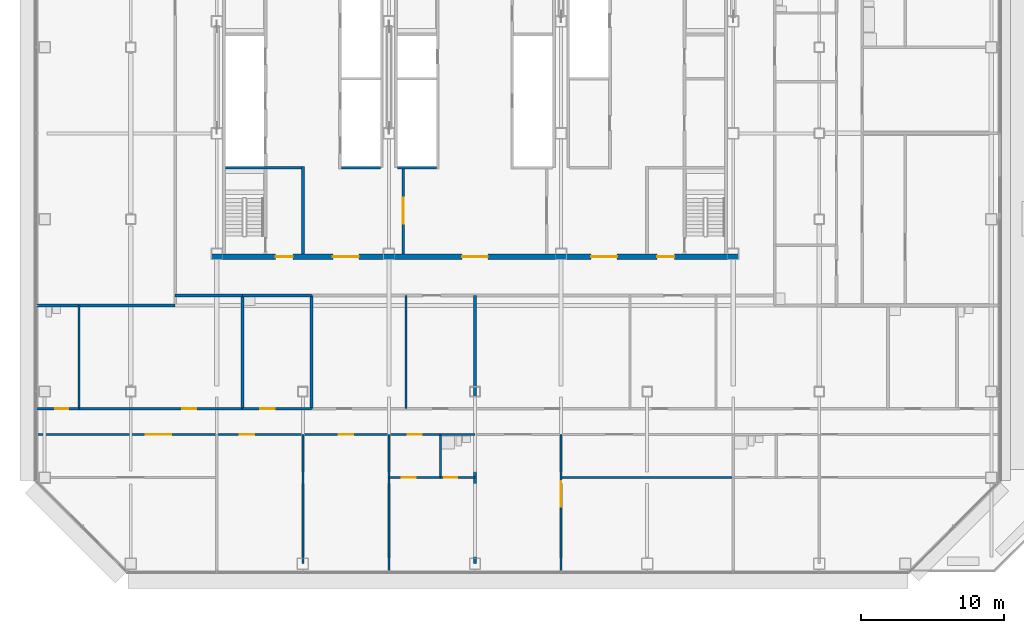
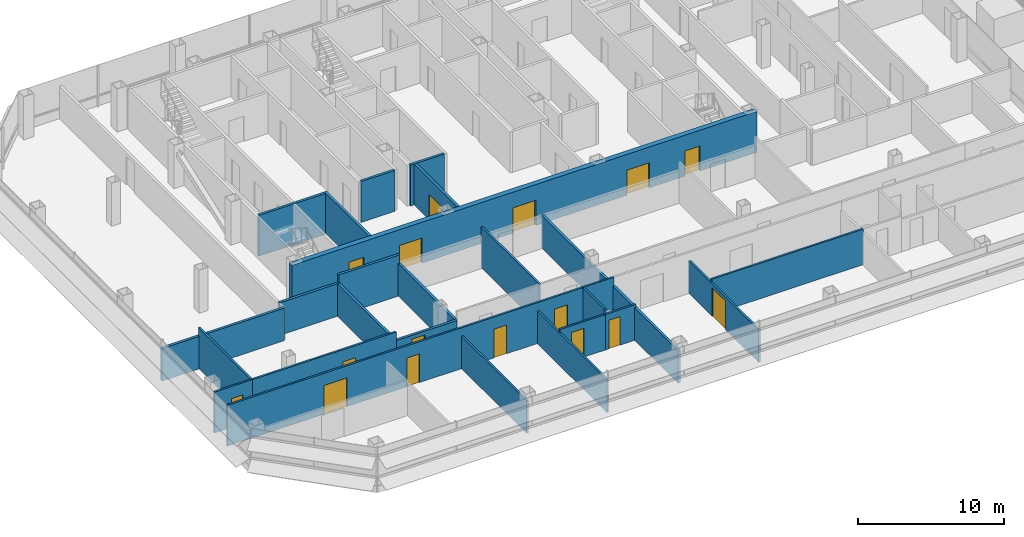
# One storey, part 17 of 28: 26 walls, 16 doors, 16 openings.
"""IFC4 building model written with IfcOpenShell, lengths in metres."""

from ifc_helpers import new_model, si_unit, direction, frame, frame_2d, origin, place, context, subcontext, project, spatial, rectangle, extrude, material, layer, layer_set, type_object, element, fill, save


model = new_model("IFC4")

# Units and contexts
model_context = context("Model", 3, precision=1e-05, world=origin(), true_north=direction((0.0, 1.0)))
body_context = subcontext(model_context, "Body", "Model", "MODEL_VIEW")
ifc_project = project(units=[si_unit("LENGTHUNIT", "METRE"), si_unit("AREAUNIT", "SQUARE_METRE"), si_unit("VOLUMEUNIT", "CUBIC_METRE"), si_unit("PLANEANGLEUNIT", "RADIAN"), si_unit("MASSUNIT", "GRAM", prefix="KILO")], contexts=[model_context])

# Site, building, storey
site_placement = place(None, origin())
site = spatial("IfcSite", under=ifc_project, at=site_placement, CompositionType="ELEMENT")
building_placement = place(site_placement, origin())
building = spatial("IfcBuilding", under=site, at=building_placement, Name="Sorahane Residences", CompositionType="ELEMENT")
storey_placement = place(building_placement, frame((0.0, 0.0, 96.199951171875)))
storey = spatial("IfcBuildingStorey", under=building, at=storey_placement, Name="L20", CompositionType="ELEMENT", Elevation=96.199951171875)

# Walls
ifc_material_1 = material(Name="Concrete blockwork C20 wall", Category="masonry")
ifc_layer_1 = layer(ifc_material_1, 0.199951171875)
ifc_layer_set_1 = layer_set([ifc_layer_1], Name="Corridor wall 200 EI 120")
wall_type_1 = type_object("IfcWallType", Name="Corridor wall 200 EI 120", PredefinedType="SOLIDWALL", material=ifc_layer_set_1)
wall_1_placement = place(storey_placement, frame((-6.60009765625, 18.0, 0.0), z_axis=(0.0, 0.0, 1.0), x_axis=(1.0, 0.0, 0.0)))
element("IfcWall", 1, at=wall_1_placement, inside=storey, type_object=wall_type_1, Name="L20 corridor wall", PredefinedType="SOLIDWALL", context=body_context, shape_type="SweptSolid", body=[
    extrude(rectangle(XDim=9.7001953125, YDim=0.199951171875, at=frame_2d((4.85009765625, 0.0))), origin(), (0.0, 0.0, 1.0), 2.719970703125),
])
wall_2_placement = place(storey_placement, frame((3.10009765625, 18.699951171875, 0.0), z_axis=(0.0, 0.0, 1.0), x_axis=(1.0, 0.0, 0.0)))
element("IfcWall", 2, at=wall_2_placement, inside=storey, type_object=wall_type_1, Name="L20 corridor wall", PredefinedType="SOLIDWALL", context=body_context, shape_type="SweptSolid", body=[
    extrude(rectangle(XDim=4.699951171875, YDim=0.199951171875, at=frame_2d((2.35009765625, 0.0))), origin(), (0.0, 0.0, 1.0), 2.719970703125),
])
ifc_material_2 = material(Name="Concrete C30", Category="concrete")
ifc_layer_2 = layer(ifc_material_2, 0.199951171875)
ifc_layer_set_2 = layer_set([ifc_layer_2], Name="Front room wall 200 EI 120")
wall_type_2 = type_object("IfcWallType", Name="Front room wall 200 EI 120", PredefinedType="PARTITIONING", material=ifc_layer_set_2)
wall_3_placement = place(storey_placement, frame((12.0, 21.60009765625, 0.0), z_axis=(0.0, 0.0, 1.0), x_axis=(0.0, 1.0, 0.0)))
element("IfcWall", 3, at=wall_3_placement, inside=storey, type_object=wall_type_2, Name="L20 front room wall", PredefinedType="PARTITIONING", context=body_context, shape_type="SweptSolid", body=[
    extrude(rectangle(XDim=6.099853515625, YDim=0.199951171875, at=frame_2d((3.0498046875, 0.0))), origin(), (0.0, 0.0, 1.0), 3.420166015625),
])
ifc_material_3 = material(Name="Concrete blockwork C20 wall", Category="masonry")
ifc_layer_3 = layer(ifc_material_3, 0.199951171875)
ifc_layer_set_3 = layer_set([ifc_layer_3], Name="Kitchen wall 200 EI 180")
wall_type_3 = type_object("IfcWallType", Name="Kitchen wall 200 EI 180", PredefinedType="SOLIDWALL", material=ifc_layer_set_3)
for number, where, z_axis, x_axis, name in (
    (4, (12.60009765625, 10.800048828125, 0.0), (0.0, 0.0, 1.0), (0.0, 1.0, 0.0), "L20 kitchen wall"),
    (5, (7.800048828125, 10.800048828125, 0.0), (0.0, 0.0, 1.0), (0.0, 1.0, 0.0), "L20 kitchen wall"),
):
    element("IfcWall", number, at=place(storey_placement, frame(where, z_axis=z_axis, x_axis=x_axis)), inside=storey, type_object=wall_type_3, Name=name, PredefinedType="SOLIDWALL", context=body_context, shape_type="SweptSolid", body=[
        extrude(rectangle(XDim=7.89990234375, YDim=0.199951171875, at=frame_2d((3.949951171875, 0.0))), origin(), (0.0, 0.0, 1.0), 2.719970703125),
    ])

# Wall, opening, door
wall_4_placement = place(storey_placement, frame((7.800048828125, 10.800048828125, 0.0), z_axis=(0.0, 0.0, 1.0), x_axis=(1.0, 0.0, 0.0)))
wall_4 = element("IfcWall", 6, at=wall_4_placement, inside=storey, type_object=wall_type_3, Name="L20 kitchen wall", PredefinedType="SOLIDWALL", context=body_context, shape_type="SweptSolid", body=[
    extrude(rectangle(XDim=4.800048828125, YDim=0.199951171875, at=frame_2d((2.39990234375, 0.0))), origin(), (0.0, 0.0, 1.0), 2.719970703125),
])
opening_1_placement = place(wall_4_placement, frame((1.239990234375, 0.0, 0.0)))
opening_1 = element("IfcOpeningElement", 7, at=opening_1_placement, cuts=wall_4, Name="Opening L20-04", PredefinedType="OPENING", context=body_context, shape_type="SweptSolid", body=[
    extrude(rectangle(XDim=1.0, YDim=2.39990234375, at=frame_2d((0.5, 1.199951171875))), frame((0.0, 0.10986328125, 0.0), z_axis=(0.0, -1.0, 0.0), x_axis=(1.0, 0.0, 0.0)), (0.0, 0.0, 1.0), 0.219970703125),
])
ifc_material_4 = material(Name="Steel", Category="steel")
door_type_1 = type_object("IfcDoorType", Name="Kitchen door 1000x2400 FD120", OperationType="NOTDEFINED", PredefinedType="DOOR", material=ifc_material_4)
door_1_placement = place(opening_1_placement, origin())
door_1 = element("IfcDoor", 8, at=door_1_placement, inside=storey, type_object=door_type_1, Name="Kitchen door L20-04", OperationType="SINGLE_SWING_RIGHT", OverallHeight=2.39990234375, OverallWidth=1.0, PredefinedType="DOOR", context=body_context, shape_type="SweptSolid", body=[
    extrude(rectangle(XDim=1.0, YDim=2.39990234375, at=frame_2d((0.5, 1.199951171875))), frame((0.0, 0.02490234375, 0.0), z_axis=(0.0, -1.0, 0.0), x_axis=(1.0, 0.0, 0.0)), (0.0, 0.0, 1.0), 0.050048828125),
])
fill(opening_1, door_1)

# Walls
wall_5_placement = place(storey_placement, frame((7.800048828125, 18.699951171875, 0.0), z_axis=(0.0, 0.0, 1.0), x_axis=(1.0, 0.0, 0.0)))
element("IfcWall", 9, at=wall_5_placement, inside=storey, type_object=wall_type_3, Name="L20 kitchen wall", PredefinedType="SOLIDWALL", context=body_context, shape_type="SweptSolid", body=[
    extrude(rectangle(XDim=4.800048828125, YDim=0.199951171875, at=frame_2d((2.39990234375, 0.0))), origin(), (0.0, 0.0, 1.0), 3.420166015625),
])
ifc_material_5 = material(Name="Concrete C30", Category="concrete")
ifc_layer_4 = layer(ifc_material_5, 0.199951171875)
ifc_layer_set_4 = layer_set([ifc_layer_4], Name="Lift shaft wall 200 EI 120")
wall_type_4 = type_object("IfcWallType", Name="Lift shaft wall 200 EI 120", PredefinedType="SOLIDWALL", material=ifc_layer_set_4)
for number, where, z_axis, x_axis, name in (
    (10, (14.699951171875, 27.60009765625, 0.0), (0.0, 0.0, 1.0), (1.0, 0.0, 0.0), "L20 lift shaft wall"),
    (11, (18.60009765625, 27.60009765625, 0.0), (0.0, 0.0, 1.0), (1.0, 0.0, 0.0), "L20 lift shaft wall"),
):
    element("IfcWall", number, at=place(storey_placement, frame(where, z_axis=z_axis, x_axis=x_axis)), inside=storey, type_object=wall_type_4, Name=name, PredefinedType="SOLIDWALL", context=body_context, shape_type="SweptSolid", body=[
        extrude(rectangle(XDim=2.699951171875, YDim=0.199951171875, at=frame_2d((1.35009765625, 0.0))), origin(), (0.0, 0.0, 1.0), 3.420166015625),
    ])
ifc_material_6 = material(Name="Gypsum board partition on steel studs", Category="steel")
ifc_layer_5 = layer(ifc_material_6, 0.14990234375)
ifc_layer_set_5 = layer_set([ifc_layer_5], Name="Partition 150 EI 90")
wall_type_5 = type_object("IfcWallType", Name="Partition 150 EI 90", PredefinedType="PARTITIONING", material=ifc_layer_set_5)
wall_6_placement = place(storey_placement, frame((12.0, 0.0, 0.0), z_axis=(0.0, 0.0, 1.0), x_axis=(0.0, 1.0, 0.0)))
element("IfcWall", 12, at=wall_6_placement, inside=storey, type_object=wall_type_5, Name="L20 partition", PredefinedType="PARTITIONING", context=body_context, shape_type="SweptSolid", body=[
    extrude(rectangle(XDim=9.0, YDim=0.14990234375, at=frame_2d((4.5, 0.0))), origin(), (0.0, 0.0, 1.0), 2.719970703125),
])
wall_7_placement = place(storey_placement, frame((18.0, -0.60009765625, 0.0), z_axis=(0.0, 0.0, 1.0), x_axis=(0.0, 1.0, 0.0)))
element("IfcWall", 13, at=wall_7_placement, inside=storey, type_object=wall_type_5, Name="L20 partition", PredefinedType="PARTITIONING", context=body_context, shape_type="SweptSolid", body=[
    extrude(rectangle(XDim=9.60009765625, YDim=0.14990234375, at=frame_2d((4.800048828125, 0.0))), origin(), (0.0, 0.0, 1.0), 2.719970703125),
])
wall_8_placement = place(storey_placement, frame((19.199951171875, 10.800048828125, 0.0), z_axis=(0.0, 0.0, 1.0), x_axis=(0.0, 1.0, 0.0)))
element("IfcWall", 14, at=wall_8_placement, inside=storey, type_object=wall_type_5, Name="L20 partition", PredefinedType="PARTITIONING", context=body_context, shape_type="SweptSolid", body=[
    extrude(rectangle(XDim=7.89990234375, YDim=0.14990234375, at=frame_2d((3.949951171875, 0.0))), origin(), (0.0, 0.0, 1.0), 3.420166015625),
])

# Wall, opening, door
wall_9_placement = place(storey_placement, frame((30.0, -0.60009765625, 0.0), z_axis=(0.0, 0.0, 1.0), x_axis=(0.0, 1.0, 0.0)))
wall_9 = element("IfcWall", 15, at=wall_9_placement, inside=storey, type_object=wall_type_5, Name="L20 partition", PredefinedType="PARTITIONING", context=body_context, shape_type="SweptSolid", body=[
    extrude(rectangle(XDim=9.60009765625, YDim=0.14990234375, at=frame_2d((4.800048828125, 0.0))), origin(), (0.0, 0.0, 1.0), 2.719970703125),
])
opening_2_placement = place(wall_9_placement, frame((4.550048828125, 0.0, 0.0)))
opening_2 = element("IfcOpeningElement", 16, at=opening_2_placement, cuts=wall_9, Name="Opening L20-19", PredefinedType="OPENING", context=body_context, shape_type="SweptSolid", body=[
    extrude(rectangle(XDim=1.800048828125, YDim=2.39990234375, at=frame_2d((0.89990234375, 1.199951171875))), frame((0.0, 0.0849609375, 0.0), z_axis=(0.0, -1.0, 0.0), x_axis=(1.0, 0.0, 0.0)), (0.0, 0.0, 1.0), 0.169921875),
])
ifc_material_7 = material(Name="Timber veneered fire door", Category="wood")
door_type_2 = type_object("IfcDoorType", Name="Double door 1800x2400 FD30", OperationType="NOTDEFINED", PredefinedType="DOOR", material=ifc_material_7)
door_2_placement = place(opening_2_placement, frame((1.800048828125, 0.0, 0.0), z_axis=(0.0, 0.0, 1.0), x_axis=(-1.0, 0.0, 0.0)))
door_2 = element("IfcDoor", 17, at=door_2_placement, inside=storey, type_object=door_type_2, Name="Double door L20-19", OperationType="SINGLE_SWING_RIGHT", OverallHeight=2.39990234375, OverallWidth=1.800048828125, PredefinedType="DOOR", context=body_context, shape_type="SweptSolid", body=[
    extrude(rectangle(XDim=1.800048828125, YDim=2.39990234375, at=frame_2d((0.89990234375, 1.199951171875))), frame((0.0, 0.02490234375, 0.0), z_axis=(0.0, -1.0, 0.0), x_axis=(1.0, 0.0, 0.0)), (0.0, 0.0, 1.0), 0.050048828125),
])
fill(opening_2, door_2)

wall_10_placement = place(storey_placement, frame((-3.60009765625, 10.800048828125, 0.0), z_axis=(0.0, 0.0, 1.0), x_axis=(1.0, 0.0, 0.0)))
wall_10 = element("IfcWall", 18, at=wall_10_placement, inside=storey, type_object=wall_type_5, Name="L20 partition", PredefinedType="PARTITIONING", context=body_context, shape_type="SweptSolid", body=[
    extrude(rectangle(XDim=11.400146484375, YDim=0.14990234375, at=frame_2d((5.7001953125, 0.0))), origin(), (0.0, 0.0, 1.0), 3.420166015625),
])
opening_3_placement = place(wall_10_placement, frame((7.179931640625, 0.0, 0.0)))
opening_3 = element("IfcOpeningElement", 19, at=opening_3_placement, cuts=wall_10, Name="Opening L20-03", PredefinedType="OPENING", context=body_context, shape_type="SweptSolid", body=[
    extrude(rectangle(XDim=1.0, YDim=2.39990234375, at=frame_2d((0.5, 1.199951171875))), frame((0.0, 0.0849609375, 0.0), z_axis=(0.0, -1.0, 0.0), x_axis=(1.0, 0.0, 0.0)), (0.0, 0.0, 1.0), 0.169921875),
])
ifc_material_8 = material(Name="Timber veneered fire door", Category="wood")
door_type_3 = type_object("IfcDoorType", Name="Room door 1000x2400 FD30", OperationType="NOTDEFINED", PredefinedType="DOOR", material=ifc_material_8)
door_3_placement = place(opening_3_placement, origin())
door_3 = element("IfcDoor", 20, at=door_3_placement, inside=storey, type_object=door_type_3, Name="Room door L20-03", OperationType="SINGLE_SWING_RIGHT", OverallHeight=2.39990234375, OverallWidth=1.0, PredefinedType="DOOR", context=body_context, shape_type="SweptSolid", body=[
    extrude(rectangle(XDim=1.0, YDim=2.39990234375, at=frame_2d((0.5, 1.199951171875))), frame((0.0, 0.02490234375, 0.0), z_axis=(0.0, -1.0, 0.0), x_axis=(1.0, 0.0, 0.0)), (0.0, 0.0, 1.0), 0.050048828125),
])
fill(opening_3, door_3)

wall_11_placement = place(storey_placement, frame((18.0, 6.0, 0.0), z_axis=(0.0, 0.0, 1.0), x_axis=(1.0, 0.0, 0.0)))
wall_11 = element("IfcWall", 21, at=wall_11_placement, inside=storey, type_object=wall_type_5, Name="L20 partition", PredefinedType="PARTITIONING", context=body_context, shape_type="SweptSolid", body=[
    extrude(rectangle(XDim=3.60009765625, YDim=0.14990234375, at=frame_2d((1.800048828125, 0.0))), origin(), (0.0, 0.0, 1.0), 2.969970703125),
])
opening_4_placement = place(wall_11_placement, frame((0.8798828125, 0.0, 0.0)))
opening_4 = element("IfcOpeningElement", 22, at=opening_4_placement, cuts=wall_11, Name="Opening L20-11", PredefinedType="OPENING", context=body_context, shape_type="SweptSolid", body=[
    extrude(rectangle(XDim=1.0, YDim=2.39990234375, at=frame_2d((0.5, 1.199951171875))), frame((0.0, 0.0849609375, 0.0), z_axis=(0.0, -1.0, 0.0), x_axis=(1.0, 0.0, 0.0)), (0.0, 0.0, 1.0), 0.169921875),
])
door_4_placement = place(opening_4_placement, frame((1.0, 0.0, 0.0), z_axis=(0.0, 0.0, 1.0), x_axis=(-1.0, 0.0, 0.0)))
door_4 = element("IfcDoor", 23, at=door_4_placement, inside=storey, type_object=door_type_3, Name="Room door L20-11", OperationType="SINGLE_SWING_RIGHT", OverallHeight=2.39990234375, OverallWidth=1.0, PredefinedType="DOOR", context=body_context, shape_type="SweptSolid", body=[
    extrude(rectangle(XDim=1.0, YDim=2.39990234375, at=frame_2d((0.5, 1.199951171875))), frame((0.0, 0.02490234375, 0.0), z_axis=(0.0, -1.0, 0.0), x_axis=(1.0, 0.0, 0.0)), (0.0, 0.0, 1.0), 0.050048828125),
])
fill(opening_4, door_4)

# Wall
wall_12_placement = place(storey_placement, frame((30.0, 6.0, 0.0), z_axis=(0.0, 0.0, 1.0), x_axis=(1.0, 0.0, 0.0)))
element("IfcWall", 24, at=wall_12_placement, inside=storey, type_object=wall_type_5, Name="L20 partition", PredefinedType="PARTITIONING", context=body_context, shape_type="SweptSolid", body=[
    extrude(rectangle(XDim=12.0, YDim=0.14990234375, at=frame_2d((6.0, 0.0))), origin(), (0.0, 0.0, 1.0), 2.969970703125),
])

# Wall, openings, doors
wall_13_placement = place(storey_placement, frame((-6.60009765625, 9.0, 0.0), z_axis=(0.0, 0.0, 1.0), x_axis=(1.0, 0.0, 0.0)))
wall_13 = element("IfcWall", 25, at=wall_13_placement, inside=storey, type_object=wall_type_5, Name="L20 partition", PredefinedType="PARTITIONING", context=body_context, shape_type="SweptSolid", body=[
    extrude(rectangle(XDim=28.2001953125, YDim=0.14990234375, at=frame_2d((14.10009765625, 0.0))), origin(), (0.0, 0.0, 1.0), 3.420166015625),
])
opening_5_placement = place(wall_13_placement, frame((7.639892578125, 0.0, 0.0)))
opening_5 = element("IfcOpeningElement", 26, at=opening_5_placement, cuts=wall_13, Name="Opening L20-06", PredefinedType="OPENING", context=body_context, shape_type="SweptSolid", body=[
    extrude(rectangle(XDim=1.800048828125, YDim=2.39990234375, at=frame_2d((0.89990234375, 1.199951171875))), frame((0.0, 0.0849609375, 0.0), z_axis=(0.0, -1.0, 0.0), x_axis=(1.0, 0.0, 0.0)), (0.0, 0.0, 1.0), 0.169921875),
])
opening_6_placement = place(wall_13_placement, frame((14.199951171875, 0.0, 0.0)))
opening_6 = element("IfcOpeningElement", 27, at=opening_6_placement, cuts=wall_13, Name="Opening L20-07", PredefinedType="OPENING", context=body_context, shape_type="SweptSolid", body=[
    extrude(rectangle(XDim=1.0, YDim=2.39990234375, at=frame_2d((0.5, 1.199951171875))), frame((0.0, 0.0849609375, 0.0), z_axis=(0.0, -1.0, 0.0), x_axis=(1.0, 0.0, 0.0)), (0.0, 0.0, 1.0), 0.169921875),
])
opening_7_placement = place(wall_13_placement, frame((21.10009765625, 0.0, 0.0)))
opening_7 = element("IfcOpeningElement", 28, at=opening_7_placement, cuts=wall_13, Name="Opening L20-08", PredefinedType="OPENING", context=body_context, shape_type="SweptSolid", body=[
    extrude(rectangle(XDim=1.0, YDim=2.39990234375, at=frame_2d((0.5, 1.199951171875))), frame((0.0, 0.0849609375, 0.0), z_axis=(0.0, -1.0, 0.0), x_axis=(1.0, 0.0, 0.0)), (0.0, 0.0, 1.0), 0.169921875),
])
opening_8_placement = place(wall_13_placement, frame((25.89990234375, 0.0, 0.0)))
opening_8 = element("IfcOpeningElement", 29, at=opening_8_placement, cuts=wall_13, Name="Opening L20-09", PredefinedType="OPENING", context=body_context, shape_type="SweptSolid", body=[
    extrude(rectangle(XDim=1.0, YDim=2.39990234375, at=frame_2d((0.5, 1.199951171875))), frame((0.0, 0.0849609375, 0.0), z_axis=(0.0, -1.0, 0.0), x_axis=(1.0, 0.0, 0.0)), (0.0, 0.0, 1.0), 0.169921875),
])
door_5_placement = place(opening_5_placement, frame((1.800048828125, 0.0, 0.0), z_axis=(0.0, 0.0, 1.0), x_axis=(-1.0, 0.0, 0.0)))
door_5 = element("IfcDoor", 30, at=door_5_placement, inside=storey, type_object=door_type_2, Name="Double door L20-06", OperationType="SINGLE_SWING_LEFT", OverallHeight=2.39990234375, OverallWidth=1.800048828125, PredefinedType="DOOR", context=body_context, shape_type="SweptSolid", body=[
    extrude(rectangle(XDim=1.800048828125, YDim=2.39990234375, at=frame_2d((0.89990234375, 1.199951171875))), frame((0.0, 0.02490234375, 0.0), z_axis=(0.0, -1.0, 0.0), x_axis=(1.0, 0.0, 0.0)), (0.0, 0.0, 1.0), 0.050048828125),
])
fill(opening_5, door_5)
door_6_placement = place(opening_6_placement, frame((1.0, 0.0, 0.0), z_axis=(0.0, 0.0, 1.0), x_axis=(-1.0, 0.0, 0.0)))
door_6 = element("IfcDoor", 31, at=door_6_placement, inside=storey, type_object=door_type_3, Name="Room door L20-07", OperationType="SINGLE_SWING_RIGHT", OverallHeight=2.39990234375, OverallWidth=1.0, PredefinedType="DOOR", context=body_context, shape_type="SweptSolid", body=[
    extrude(rectangle(XDim=1.0, YDim=2.39990234375, at=frame_2d((0.5, 1.199951171875))), frame((0.0, 0.02490234375, 0.0), z_axis=(0.0, -1.0, 0.0), x_axis=(1.0, 0.0, 0.0)), (0.0, 0.0, 1.0), 0.050048828125),
])
fill(opening_6, door_6)
door_7_placement = place(opening_7_placement, frame((1.0, 0.0, 0.0), z_axis=(0.0, 0.0, 1.0), x_axis=(-1.0, 0.0, 0.0)))
door_7 = element("IfcDoor", 32, at=door_7_placement, inside=storey, type_object=door_type_3, Name="Room door L20-08", OperationType="SINGLE_SWING_LEFT", OverallHeight=2.39990234375, OverallWidth=1.0, PredefinedType="DOOR", context=body_context, shape_type="SweptSolid", body=[
    extrude(rectangle(XDim=1.0, YDim=2.39990234375, at=frame_2d((0.5, 1.199951171875))), frame((0.0, 0.02490234375, 0.0), z_axis=(0.0, -1.0, 0.0), x_axis=(1.0, 0.0, 0.0)), (0.0, 0.0, 1.0), 0.050048828125),
])
fill(opening_7, door_7)
door_8_placement = place(opening_8_placement, frame((1.0, 0.0, 0.0), z_axis=(0.0, 0.0, 1.0), x_axis=(-1.0, 0.0, 0.0)))
door_8 = element("IfcDoor", 33, at=door_8_placement, inside=storey, type_object=door_type_3, Name="Room door L20-09", OperationType="SINGLE_SWING_RIGHT", OverallHeight=2.39990234375, OverallWidth=1.0, PredefinedType="DOOR", context=body_context, shape_type="SweptSolid", body=[
    extrude(rectangle(XDim=1.0, YDim=2.39990234375, at=frame_2d((0.5, 1.199951171875))), frame((0.0, 0.02490234375, 0.0), z_axis=(0.0, -1.0, 0.0), x_axis=(1.0, 0.0, 0.0)), (0.0, 0.0, 1.0), 0.050048828125),
])
fill(opening_8, door_8)

# Wall
ifc_material_9 = material(Name="Concrete blockwork C20 wall", Category="masonry")
ifc_layer_6 = layer(ifc_material_9, 0.199951171875)
ifc_layer_set_6 = layer_set([ifc_layer_6], Name="Party wall 200 EI 120")
wall_type_6 = type_object("IfcWallType", Name="Party wall 200 EI 120", PredefinedType="SOLIDWALL", material=ifc_layer_set_6)
wall_14_placement = place(storey_placement, frame((24.0, 0.0, 0.0), z_axis=(0.0, 0.0, 1.0), x_axis=(0.0, 1.0, 0.0)))
element("IfcWall", 34, at=wall_14_placement, inside=storey, type_object=wall_type_6, Name="L20 party wall", PredefinedType="SOLIDWALL", context=body_context, shape_type="SweptSolid", body=[
    extrude(rectangle(XDim=18.699951171875, YDim=0.199951171875, at=frame_2d((9.35009765625, 0.0))), origin(), (0.0, 0.0, 1.0), 2.719970703125),
])

# Wall, opening, door
ifc_material_10 = material(Name="Concrete C30", Category="concrete")
ifc_layer_7 = layer(ifc_material_10, 0.199951171875)
ifc_layer_set_7 = layer_set([ifc_layer_7], Name="Service room partition 200 EI 60")
wall_type_7 = type_object("IfcWallType", Name="Service room partition 200 EI 60", PredefinedType="PARTITIONING", material=ifc_layer_set_7)
wall_15_placement = place(storey_placement, frame((19.0, 21.60009765625, 0.0), z_axis=(0.0, 0.0, 1.0), x_axis=(0.0, 1.0, 0.0)))
wall_15 = element("IfcWall", 35, at=wall_15_placement, inside=storey, type_object=wall_type_7, Name="L20 service room wall", PredefinedType="PARTITIONING", context=body_context, shape_type="SweptSolid", body=[
    extrude(rectangle(XDim=6.0, YDim=0.199951171875, at=frame_2d((3.0, 0.0))), origin(), (0.0, 0.0, 1.0), 3.420166015625),
])
opening_9_placement = place(wall_15_placement, frame((2.10009765625, 0.0, 0.0)))
opening_9 = element("IfcOpeningElement", 36, at=opening_9_placement, cuts=wall_15, Name="Opening L20-C02", PredefinedType="OPENING", context=body_context, shape_type="SweptSolid", body=[
    extrude(rectangle(XDim=1.800048828125, YDim=2.10009765625, at=frame_2d((0.89990234375, 1.050048828125))), frame((0.0, 0.10986328125, 0.0), z_axis=(0.0, -1.0, 0.0), x_axis=(1.0, 0.0, 0.0)), (0.0, 0.0, 1.0), 0.219970703125),
])
ifc_material_11 = material(Name="Steel", Category="steel")
door_type_4 = type_object("IfcDoorType", Name="Waiting hall door 1800x2100 FD60", OperationType="NOTDEFINED", PredefinedType="DOOR", material=ifc_material_11)
door_9_placement = place(opening_9_placement, origin())
door_9 = element("IfcDoor", 37, at=door_9_placement, inside=storey, type_object=door_type_4, Name="Waiting hall door Residents' waiting hall west L20", OperationType="SINGLE_SWING_LEFT", OverallHeight=2.10009765625, OverallWidth=1.800048828125, PredefinedType="DOOR", context=body_context, shape_type="SweptSolid", body=[
    extrude(rectangle(XDim=1.800048828125, YDim=2.10009765625, at=frame_2d((0.89990234375, 1.050048828125))), frame((0.0, 0.02490234375, 0.0), z_axis=(0.0, -1.0, 0.0), x_axis=(1.0, 0.0, 0.0)), (0.0, 0.0, 1.0), 0.050048828125),
])
fill(opening_9, door_9)

# Wall
ifc_material_12 = material(Name="Concrete C30", Category="concrete")
ifc_layer_8 = layer(ifc_material_12, 0.199951171875)
ifc_layer_set_8 = layer_set([ifc_layer_8], Name="Stair enclosure wall 200 EI 120")
wall_type_8 = type_object("IfcWallType", Name="Stair enclosure wall 200 EI 120", PredefinedType="SOLIDWALL", material=ifc_layer_set_8)
wall_16_placement = place(storey_placement, frame((6.60009765625, 27.60009765625, 0.0), z_axis=(0.0, 0.0, 1.0), x_axis=(1.0, 0.0, 0.0)))
element("IfcWall", 38, at=wall_16_placement, inside=storey, type_object=wall_type_8, Name="L20 stair enclosure wall", PredefinedType="SOLIDWALL", context=body_context, shape_type="SweptSolid", body=[
    extrude(rectangle(XDim=5.2998046875, YDim=0.199951171875, at=frame_2d((2.64990234375, 0.0))), origin(), (0.0, 0.0, 1.0), 3.420166015625),
])

# Wall, openings, doors
ifc_material_13 = material(Name="Concrete C30", Category="concrete")
ifc_layer_9 = layer(ifc_material_13, 0.39990234375)
ifc_layer_set_9 = layer_set([ifc_layer_9], Name="Waiting hall wall 400 EI 120")
wall_type_9 = type_object("IfcWallType", Name="Waiting hall wall 400 EI 120", PredefinedType="SOLIDWALL", material=ifc_layer_set_9)
wall_17_placement = place(storey_placement, frame((5.60009765625, 21.39990234375, 0.0), z_axis=(0.0, 0.0, 1.0), x_axis=(1.0, 0.0, 0.0)))
wall_17 = element("IfcWall", 39, at=wall_17_placement, inside=storey, type_object=wall_type_9, Name="L20 waiting hall wall", PredefinedType="SOLIDWALL", context=body_context, shape_type="SweptSolid", body=[
    extrude(rectangle(XDim=36.7998046875, YDim=0.39990234375, at=frame_2d((18.39990234375, 0.0))), origin(), (0.0, 0.0, 1.0), 3.420166015625),
])
opening_10_placement = place(wall_17_placement, frame((8.5, 0.0, 0.0)))
opening_10 = element("IfcOpeningElement", 40, at=opening_10_placement, cuts=wall_17, Name="Opening L20-C01", PredefinedType="OPENING", context=body_context, shape_type="SweptSolid", body=[
    extrude(rectangle(XDim=1.800048828125, YDim=2.10009765625, at=frame_2d((0.89990234375, 1.050048828125))), frame((0.0, 0.2099609375, 0.0), z_axis=(0.0, -1.0, 0.0), x_axis=(1.0, 0.0, 0.0)), (0.0, 0.0, 1.0), 0.419921875),
])
opening_11_placement = place(wall_17_placement, frame((17.5, 0.0, 0.0)))
opening_11 = element("IfcOpeningElement", 41, at=opening_11_placement, cuts=wall_17, Name="Opening L20-C03", PredefinedType="OPENING", context=body_context, shape_type="SweptSolid", body=[
    extrude(rectangle(XDim=1.800048828125, YDim=2.10009765625, at=frame_2d((0.89990234375, 1.050048828125))), frame((0.0, 0.2099609375, 0.0), z_axis=(0.0, -1.0, 0.0), x_axis=(1.0, 0.0, 0.0)), (0.0, 0.0, 1.0), 0.419921875),
])
opening_12_placement = place(wall_17_placement, frame((26.5, 0.0, 0.0)))
opening_12 = element("IfcOpeningElement", 42, at=opening_12_placement, cuts=wall_17, Name="Opening L20-C05", PredefinedType="OPENING", context=body_context, shape_type="SweptSolid", body=[
    extrude(rectangle(XDim=1.800048828125, YDim=2.10009765625, at=frame_2d((0.89990234375, 1.050048828125))), frame((0.0, 0.2099609375, 0.0), z_axis=(0.0, -1.0, 0.0), x_axis=(1.0, 0.0, 0.0)), (0.0, 0.0, 1.0), 0.419921875),
])
opening_13_placement = place(wall_17_placement, frame((4.5, 0.0, 0.0)))
opening_13 = element("IfcOpeningElement", 43, at=opening_13_placement, cuts=wall_17, Name="Opening L20-C06", PredefinedType="OPENING", context=body_context, shape_type="SweptSolid", body=[
    extrude(rectangle(XDim=1.199951171875, YDim=2.10009765625, at=frame_2d((0.60009765625, 1.050048828125))), frame((0.0, 0.2099609375, 0.0), z_axis=(0.0, -1.0, 0.0), x_axis=(1.0, 0.0, 0.0)), (0.0, 0.0, 1.0), 0.419921875),
])
opening_14_placement = place(wall_17_placement, frame((31.10009765625, 0.0, 0.0)))
opening_14 = element("IfcOpeningElement", 44, at=opening_14_placement, cuts=wall_17, Name="Opening L20-C07", PredefinedType="OPENING", context=body_context, shape_type="SweptSolid", body=[
    extrude(rectangle(XDim=1.199951171875, YDim=2.10009765625, at=frame_2d((0.60009765625, 1.050048828125))), frame((0.0, 0.2099609375, 0.0), z_axis=(0.0, -1.0, 0.0), x_axis=(1.0, 0.0, 0.0)), (0.0, 0.0, 1.0), 0.419921875),
])
ifc_material_14 = material(Name="Steel", Category="steel")
door_type_5 = type_object("IfcDoorType", Name="Stair front room door 1200x2100 FD120", OperationType="NOTDEFINED", PredefinedType="DOOR", material=ifc_material_14)
door_10_placement = place(opening_13_placement, frame((1.199951171875, 0.0, 0.0), z_axis=(0.0, 0.0, 1.0), x_axis=(-1.0, 0.0, 0.0)))
door_10 = element("IfcDoor", 45, at=door_10_placement, inside=storey, type_object=door_type_5, Name="Stair front room door Stair S4 front room L20", OperationType="SINGLE_SWING_LEFT", OverallHeight=2.10009765625, OverallWidth=1.199951171875, PredefinedType="DOOR", context=body_context, shape_type="SweptSolid", body=[
    extrude(rectangle(XDim=1.199951171875, YDim=2.10009765625, at=frame_2d((0.60009765625, 1.050048828125))), frame((0.0, 0.02490234375, 0.0), z_axis=(0.0, -1.0, 0.0), x_axis=(1.0, 0.0, 0.0)), (0.0, 0.0, 1.0), 0.050048828125),
])
fill(opening_13, door_10)
door_11_placement = place(opening_14_placement, frame((1.199951171875, 0.0, 0.0), z_axis=(0.0, 0.0, 1.0), x_axis=(-1.0, 0.0, 0.0)))
door_11 = element("IfcDoor", 46, at=door_11_placement, inside=storey, type_object=door_type_5, Name="Stair front room door Stair S5 front room L20", OperationType="SINGLE_SWING_LEFT", OverallHeight=2.10009765625, OverallWidth=1.199951171875, PredefinedType="DOOR", context=body_context, shape_type="SweptSolid", body=[
    extrude(rectangle(XDim=1.199951171875, YDim=2.10009765625, at=frame_2d((0.60009765625, 1.050048828125))), frame((0.0, 0.02490234375, 0.0), z_axis=(0.0, -1.0, 0.0), x_axis=(1.0, 0.0, 0.0)), (0.0, 0.0, 1.0), 0.050048828125),
])
fill(opening_14, door_11)
door_12_placement = place(opening_10_placement, frame((1.800048828125, 0.0, 0.0), z_axis=(0.0, 0.0, 1.0), x_axis=(-1.0, 0.0, 0.0)))
door_12 = element("IfcDoor", 47, at=door_12_placement, inside=storey, type_object=door_type_4, Name="Waiting hall door Residents' waiting hall west L20", OperationType="SINGLE_SWING_LEFT", OverallHeight=2.10009765625, OverallWidth=1.800048828125, PredefinedType="DOOR", context=body_context, shape_type="SweptSolid", body=[
    extrude(rectangle(XDim=1.800048828125, YDim=2.10009765625, at=frame_2d((0.89990234375, 1.050048828125))), frame((0.0, 0.02490234375, 0.0), z_axis=(0.0, -1.0, 0.0), x_axis=(1.0, 0.0, 0.0)), (0.0, 0.0, 1.0), 0.050048828125),
])
fill(opening_10, door_12)
door_13_placement = place(opening_11_placement, frame((1.800048828125, 0.0, 0.0), z_axis=(0.0, 0.0, 1.0), x_axis=(-1.0, 0.0, 0.0)))
door_13 = element("IfcDoor", 48, at=door_13_placement, inside=storey, type_object=door_type_4, Name="Waiting hall door Residents' waiting hall centre L20", OperationType="SINGLE_SWING_LEFT", OverallHeight=2.10009765625, OverallWidth=1.800048828125, PredefinedType="DOOR", context=body_context, shape_type="SweptSolid", body=[
    extrude(rectangle(XDim=1.800048828125, YDim=2.10009765625, at=frame_2d((0.89990234375, 1.050048828125))), frame((0.0, 0.02490234375, 0.0), z_axis=(0.0, -1.0, 0.0), x_axis=(1.0, 0.0, 0.0)), (0.0, 0.0, 1.0), 0.050048828125),
])
fill(opening_11, door_13)
door_14_placement = place(opening_12_placement, frame((1.800048828125, 0.0, 0.0), z_axis=(0.0, 0.0, 1.0), x_axis=(-1.0, 0.0, 0.0)))
door_14 = element("IfcDoor", 49, at=door_14_placement, inside=storey, type_object=door_type_4, Name="Waiting hall door Residents' waiting hall east L20", OperationType="SINGLE_SWING_LEFT", OverallHeight=2.10009765625, OverallWidth=1.800048828125, PredefinedType="DOOR", context=body_context, shape_type="SweptSolid", body=[
    extrude(rectangle(XDim=1.800048828125, YDim=2.10009765625, at=frame_2d((0.89990234375, 1.050048828125))), frame((0.0, 0.02490234375, 0.0), z_axis=(0.0, -1.0, 0.0), x_axis=(1.0, 0.0, 0.0)), (0.0, 0.0, 1.0), 0.050048828125),
])
fill(opening_12, door_14)

# Walls
ifc_material_15 = material(Name="Gypsum board partition on steel studs", Category="steel")
ifc_layer_10 = layer(ifc_material_15, 0.14990234375)
ifc_layer_set_10 = layer_set([ifc_layer_10], Name="Wet wall 150 EI 90")
wall_type_10 = type_object("IfcWallType", Name="Wet wall 150 EI 90", PredefinedType="PARTITIONING", material=ifc_layer_set_10)
wall_18_placement = place(storey_placement, frame((-3.60009765625, 10.800048828125, 0.0), z_axis=(0.0, 0.0, 1.0), x_axis=(0.0, 1.0, 0.0)))
element("IfcWall", 50, at=wall_18_placement, inside=storey, type_object=wall_type_10, Name="L20 wet wall", PredefinedType="PARTITIONING", context=body_context, shape_type="SweptSolid", body=[
    extrude(rectangle(XDim=7.199951171875, YDim=0.14990234375, at=frame_2d((3.60009765625, 0.0))), origin(), (0.0, 0.0, 1.0), 3.420166015625),
])
wall_19_placement = place(storey_placement, frame((21.60009765625, 6.0, 0.0), z_axis=(0.0, 0.0, 1.0), x_axis=(0.0, 1.0, 0.0)))
element("IfcWall", 51, at=wall_19_placement, inside=storey, type_object=wall_type_10, Name="L20 wet wall", PredefinedType="PARTITIONING", context=body_context, shape_type="SweptSolid", body=[
    extrude(rectangle(XDim=3.0, YDim=0.14990234375, at=frame_2d((1.5, 0.0))), origin(), (0.0, 0.0, 1.0), 3.420166015625),
])

# Wall, opening, door
wall_20_placement = place(storey_placement, frame((-6.60009765625, 10.800048828125, 0.0), z_axis=(0.0, 0.0, 1.0), x_axis=(1.0, 0.0, 0.0)))
wall_20 = element("IfcWall", 52, at=wall_20_placement, inside=storey, type_object=wall_type_10, Name="L20 wet wall", PredefinedType="PARTITIONING", context=body_context, shape_type="SweptSolid", body=[
    extrude(rectangle(XDim=3.0, YDim=0.14990234375, at=frame_2d((1.5, 0.0))), origin(), (0.0, 0.0, 1.0), 3.420166015625),
])
opening_15_placement = place(wall_20_placement, frame((1.35009765625, 0.0, 0.0)))
opening_15 = element("IfcOpeningElement", 53, at=opening_15_placement, cuts=wall_20, Name="Opening L20-02", PredefinedType="OPENING", context=body_context, shape_type="SweptSolid", body=[
    extrude(rectangle(XDim=0.89990234375, YDim=2.39990234375, at=frame_2d((0.449951171875, 1.199951171875))), frame((0.0, 0.0849609375, 0.0), z_axis=(0.0, -1.0, 0.0), x_axis=(1.0, 0.0, 0.0)), (0.0, 0.0, 1.0), 0.169921875),
])
ifc_material_16 = material(Name="Timber veneered fire door", Category="wood")
door_type_6 = type_object("IfcDoorType", Name="Bathroom door 900x2400 FD30", OperationType="NOTDEFINED", PredefinedType="DOOR", material=ifc_material_16)
door_15_placement = place(opening_15_placement, frame((0.89990234375, 0.0, 0.0), z_axis=(0.0, 0.0, 1.0), x_axis=(-1.0, 0.0, 0.0)))
door_15 = element("IfcDoor", 54, at=door_15_placement, inside=storey, type_object=door_type_6, Name="Bathroom door L20-02", OperationType="SINGLE_SWING_RIGHT", OverallHeight=2.39990234375, OverallWidth=0.89990234375, PredefinedType="DOOR", context=body_context, shape_type="SweptSolid", body=[
    extrude(rectangle(XDim=0.89990234375, YDim=2.39990234375, at=frame_2d((0.449951171875, 1.199951171875))), frame((0.0, 0.02490234375, 0.0), z_axis=(0.0, -1.0, 0.0), x_axis=(1.0, 0.0, 0.0)), (0.0, 0.0, 1.0), 0.050048828125),
])
fill(opening_15, door_15)

wall_21_placement = place(storey_placement, frame((21.60009765625, 6.0, 0.0), z_axis=(0.0, 0.0, 1.0), x_axis=(1.0, 0.0, 0.0)))
wall_21 = element("IfcWall", 55, at=wall_21_placement, inside=storey, type_object=wall_type_10, Name="L20 wet wall", PredefinedType="PARTITIONING", context=body_context, shape_type="SweptSolid", body=[
    extrude(rectangle(XDim=2.39990234375, YDim=0.14990234375, at=frame_2d((1.199951171875, 0.0))), origin(), (0.0, 0.0, 1.0), 2.969970703125),
])
opening_16_placement = place(wall_21_placement, frame((0.25, 0.0, 0.0)))
opening_16 = element("IfcOpeningElement", 56, at=opening_16_placement, cuts=wall_21, Name="Opening L20-12", PredefinedType="OPENING", context=body_context, shape_type="SweptSolid", body=[
    extrude(rectangle(XDim=0.89990234375, YDim=2.39990234375, at=frame_2d((0.449951171875, 1.199951171875))), frame((0.0, 0.0849609375, 0.0), z_axis=(0.0, -1.0, 0.0), x_axis=(1.0, 0.0, 0.0)), (0.0, 0.0, 1.0), 0.169921875),
])
door_16_placement = place(opening_16_placement, frame((0.89990234375, 0.0, 0.0), z_axis=(0.0, 0.0, 1.0), x_axis=(-1.0, 0.0, 0.0)))
door_16 = element("IfcDoor", 57, at=door_16_placement, inside=storey, type_object=door_type_6, Name="Bathroom door L20-12", OperationType="SINGLE_SWING_RIGHT", OverallHeight=2.39990234375, OverallWidth=0.89990234375, PredefinedType="DOOR", context=body_context, shape_type="SweptSolid", body=[
    extrude(rectangle(XDim=0.89990234375, YDim=2.39990234375, at=frame_2d((0.449951171875, 1.199951171875))), frame((0.0, 0.02490234375, 0.0), z_axis=(0.0, -1.0, 0.0), x_axis=(1.0, 0.0, 0.0)), (0.0, 0.0, 1.0), 0.050048828125),
])
fill(opening_16, door_16)

# Wall
wall_22_placement = place(storey_placement, frame((21.60009765625, 9.0, 0.0), z_axis=(0.0, 0.0, 1.0), x_axis=(1.0, 0.0, 0.0)))
element("IfcWall", 58, at=wall_22_placement, inside=storey, type_object=wall_type_10, Name="L20 wet wall", PredefinedType="PARTITIONING", context=body_context, shape_type="SweptSolid", body=[
    extrude(rectangle(XDim=2.39990234375, YDim=0.14990234375, at=frame_2d((1.199951171875, 0.0))), origin(), (0.0, 0.0, 1.0), 3.420166015625),
])

save(model, "model.ifc")
